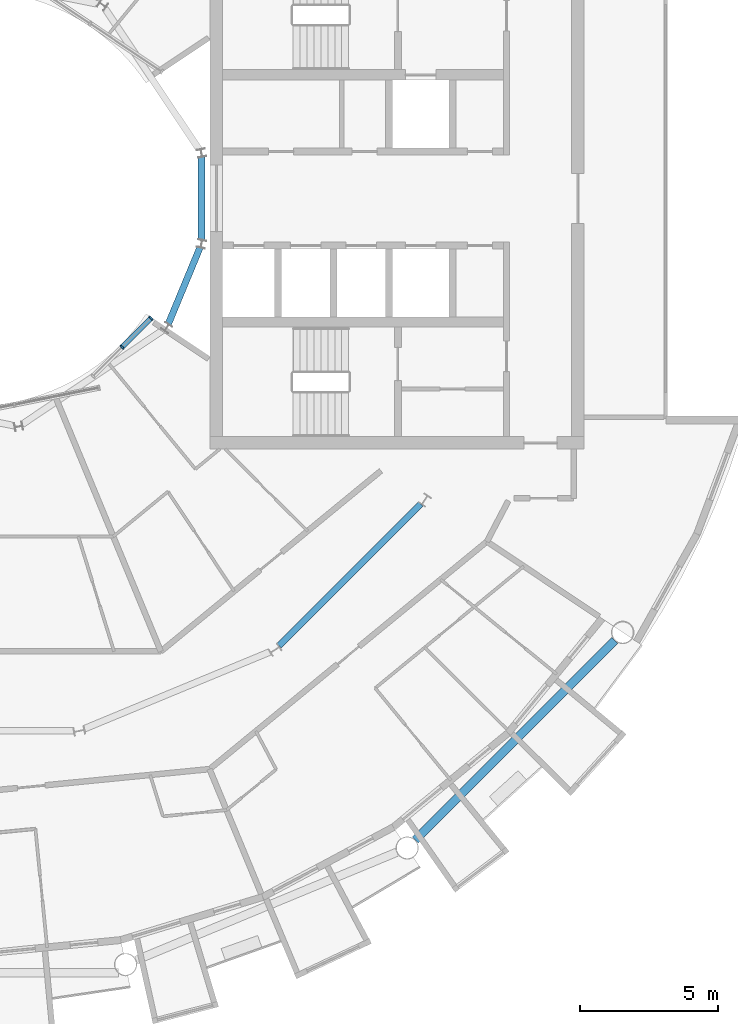
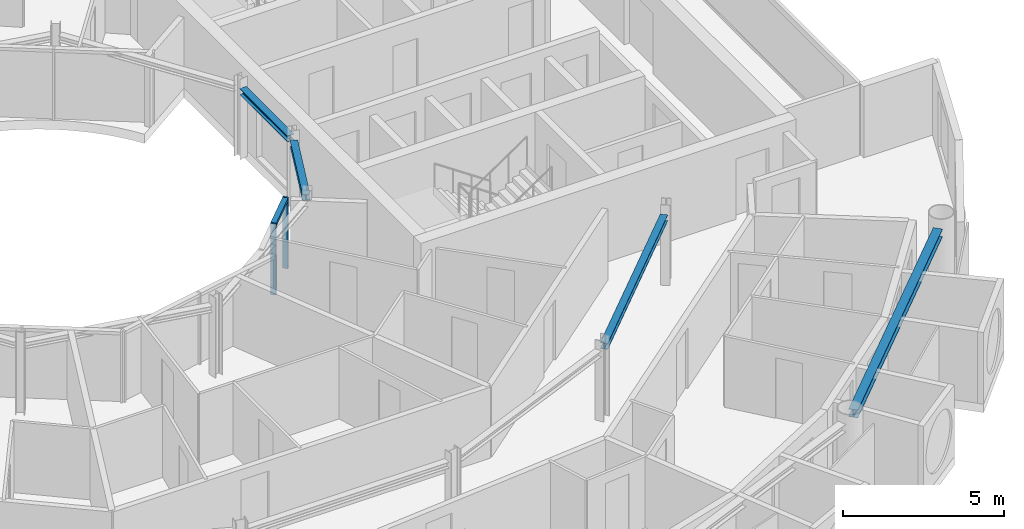
# One storey, part 8 of 29: 4 beams, 3 members, 1 element without a shape of its own.
"""IFC4 building model written with IfcOpenShell, lengths in metres."""

from ifc_helpers import new_model, si_unit, direction, frame, origin, origin_2d, place, context, subcontext, project, spatial, rectangle, i_section, extrude, material, layer, layer_set, material_profile, profile_set, type_object, element, aggregate, save


model = new_model("IFC4")

# Units and contexts
model_context = context("Model", 3, precision=1e-05, world=origin(), true_north=direction((0.0, 1.0)))
body_context = subcontext(model_context, "Body", "Model", "MODEL_VIEW")
ifc_project = project(units=[si_unit("LENGTHUNIT", "METRE"), si_unit("AREAUNIT", "SQUARE_METRE"), si_unit("VOLUMEUNIT", "CUBIC_METRE"), si_unit("PLANEANGLEUNIT", "RADIAN"), si_unit("MASSUNIT", "GRAM", prefix="KILO")], contexts=[model_context])

# Site, building, storey
site_placement = place(None, origin())
site = spatial("IfcSite", under=ifc_project, at=site_placement, CompositionType="ELEMENT")
building_placement = place(site_placement, origin())
building = spatial("IfcBuilding", under=site, at=building_placement, Name="Maasbend Ring Residences", CompositionType="ELEMENT")
storey_placement = place(building_placement, frame((0.0, 0.0, 202.39990234375)))
storey = spatial("IfcBuildingStorey", under=building, at=storey_placement, Name="L58", CompositionType="ELEMENT", Elevation=202.39990234375)

# Curtain wall, members
ifc_material_1 = material(Name="Aluminium and clear glass", Category="aluminium")
ifc_layer = layer(ifc_material_1, 0.179931640625)
ifc_layer_set = layer_set([ifc_layer], Name="CW-W")
curtain_wall_type = type_object("IfcCurtainWallType", Name="CW-W", PredefinedType="NOTDEFINED", material=ifc_layer_set)
curtain_wall_placement = place(storey_placement, origin())
curtain_wall = element("IfcCurtainWall", 1, at=curtain_wall_placement, inside=storey, type_object=curtain_wall_type, Name="Well curtain wall S3", PredefinedType="NOTDEFINED")
ifc_material_2 = material(Name="Aluminium 6063-T6", Category="aluminium")
ifc_material_profile_1 = material_profile(ifc_material_2, rectangle(XDim=0.179931640625, YDim=0.06005859375, at=origin_2d()), Name="AL 180x60")
ifc_profile_set_1 = profile_set([ifc_material_profile_1], Name="Aluminium 6063-T6")
member_type_1 = type_object("IfcMemberType", Name="CWM-W", PredefinedType="MULLION", material=ifc_profile_set_1)
member_1_placement = place(storey_placement, frame((5.366943359375, -5.366943359375, 0.0), z_axis=(0.0, 0.0, 1.0), x_axis=(-0.707106781187, 0.707106781187, 0.0)))
member_1 = element("IfcMember", 2, at=member_1_placement, type_object=member_type_1, Name="Mullion well face", PredefinedType="MULLION", context=body_context, shape_type="SweptSolid", body=[
    extrude(rectangle(XDim=0.179931640625, YDim=0.06005859375, at=origin_2d()), origin(), (0.0, 0.0, 1.0), 2.7001953125),
])
member_2_placement = place(storey_placement, frame((6.413330078125, -4.320556640625, 0.0), z_axis=(0.0, 0.0, 1.0), x_axis=(-0.707106781187, 0.707106781187, 0.0)))
member_2 = element("IfcMember", 3, at=member_2_placement, type_object=member_type_1, Name="Mullion well face", PredefinedType="MULLION", context=body_context, shape_type="SweptSolid", body=[
    extrude(rectangle(XDim=0.179931640625, YDim=0.06005859375, at=origin_2d()), origin(), (0.0, 0.0, 1.0), 2.7001953125),
])
ifc_material_3 = material(Name="Aluminium 6063-T6", Category="aluminium")
ifc_material_profile_2 = material_profile(ifc_material_3, rectangle(XDim=0.179931640625, YDim=0.1201171875, at=origin_2d()), Name="AL 180x120")
ifc_profile_set_2 = profile_set([ifc_material_profile_2], Name="Aluminium 6063-T6")
member_type_2 = type_object("IfcMemberType", Name="CWT-W", PredefinedType="USERDEFINED", material=ifc_profile_set_2)
member_3_placement = place(storey_placement, frame((5.38818359375, -5.345703125, 2.64013671875), z_axis=(0.707106781187, 0.707106781187, 0.0), x_axis=(-0.707106781187, 0.707106781187, 0.0)))
member_3 = element("IfcMember", 4, at=member_3_placement, type_object=member_type_2, Name="Transom well face", ObjectType="TRANSOM", PredefinedType="USERDEFINED", context=body_context, shape_type="SweptSolid", body=[
    extrude(rectangle(XDim=0.179931640625, YDim=0.1201171875, at=origin_2d()), origin(), (0.0, 0.0, 1.0), 1.419677734375),
])
aggregate(curtain_wall, [member_1, member_2, member_3])

# Beams
ifc_material_4 = material(Name="Steel S355J2", Category="steel")
ifc_material_profile_3 = material_profile(ifc_material_4, i_section(OverallWidth=0.239990234375, OverallDepth=0.22998046875, WebThickness=0.007568359375, FlangeThickness=0.011962890625, FilletRadius=0.02099609375, at=origin_2d()), Name="HEA 240")
ifc_profile_set_3 = profile_set([ifc_material_profile_3], Name="Steel S355J2")
beam_type_1 = type_object("IfcBeamType", Name="Corridor ring beam HEA 240", PredefinedType="BEAM", material=ifc_profile_set_3)
beam_1_placement = place(storey_placement, frame((11.033447265625, -16.152587890625, 2.585205078125), z_axis=(0.707106781187, 0.707106781187, 0.0), x_axis=(-0.707106781187, 0.707106781187, 0.0)))
element("IfcBeam", 5, at=beam_1_placement, inside=storey, type_object=beam_type_1, Name="Corridor ring beam", PredefinedType="BEAM", context=body_context, shape_type="SweptSolid", body=[
    extrude(i_section(OverallWidth=0.239990234375, OverallDepth=0.22998046875, WebThickness=0.007568359375, FlangeThickness=0.011962890625, FilletRadius=0.02099609375, at=origin_2d()), origin(), (0.0, 0.0, 1.0), 7.239501953125),
])
ifc_material_5 = material(Name="Steel S355J2", Category="steel")
ifc_material_profile_4 = material_profile(ifc_material_5, i_section(OverallWidth=0.300048828125, OverallDepth=0.300048828125, WebThickness=0.010986328125, FlangeThickness=0.01904296875, FilletRadius=0.027099609375, at=origin_2d()), Name="HEB 300")
ifc_profile_set_4 = profile_set([ifc_material_profile_4], Name="Steel S355J2")
beam_type_2 = type_object("IfcBeamType", Name="Spandrel ring beam HEB 300", PredefinedType="SPANDREL", material=ifc_profile_set_4)
beam_2_placement = place(storey_placement, frame((15.95458984375, -23.159912109375, 2.550048828125), z_axis=(0.707106781187, 0.707106781187, 0.0), x_axis=(-0.707106781187, 0.707106781187, 0.0)))
element("IfcBeam", 6, at=beam_2_placement, inside=storey, type_object=beam_type_2, Name="Spandrel ring beam", PredefinedType="SPANDREL", context=body_context, shape_type="SweptSolid", body=[
    extrude(i_section(OverallWidth=0.300048828125, OverallDepth=0.300048828125, WebThickness=0.010986328125, FlangeThickness=0.01904296875, FilletRadius=0.027099609375, at=origin_2d()), origin(), (0.0, 0.0, 1.0), 10.18994140625),
])
ifc_material_6 = material(Name="Steel S355J2", Category="steel")
ifc_material_profile_5 = material_profile(ifc_material_6, i_section(OverallWidth=0.239990234375, OverallDepth=0.22998046875, WebThickness=0.007568359375, FlangeThickness=0.011962890625, FilletRadius=0.02099609375, at=origin_2d()), Name="HEA 240")
ifc_profile_set_5 = profile_set([ifc_material_profile_5], Name="Steel S355J2")
beam_type_3 = type_object("IfcBeamType", Name="Well edge beam HEA 240", PredefinedType="BEAM", material=ifc_profile_set_5)
beam_3_placement = place(storey_placement, frame((7.041015625, -4.5302734375, 2.585205078125), z_axis=(0.382614534057, 0.923908068115, 0.0), x_axis=(-0.923908068115, 0.382614534057, 0.0)))
element("IfcBeam", 7, at=beam_3_placement, inside=storey, type_object=beam_type_3, Name="Well edge beam", PredefinedType="BEAM", context=body_context, shape_type="SweptSolid", body=[
    extrude(i_section(OverallWidth=0.239990234375, OverallDepth=0.22998046875, WebThickness=0.007568359375, FlangeThickness=0.011962890625, FilletRadius=0.02099609375, at=origin_2d()), origin(), (0.0, 0.0, 1.0), 2.981689453125),
])
beam_4_placement = place(storey_placement, frame((8.238525390625, -1.490966796875, 2.585205078125), z_axis=(0.0, 1.0, 0.0), x_axis=(-1.0, 0.0, 0.0)))
element("IfcBeam", 8, at=beam_4_placement, inside=storey, type_object=beam_type_3, Name="Well edge beam", PredefinedType="BEAM", context=body_context, shape_type="SweptSolid", body=[
    extrude(i_section(OverallWidth=0.239990234375, OverallDepth=0.22998046875, WebThickness=0.007568359375, FlangeThickness=0.011962890625, FilletRadius=0.02099609375, at=origin_2d()), origin(), (0.0, 0.0, 1.0), 2.98193359375),
])

save(model, "model.ifc")
